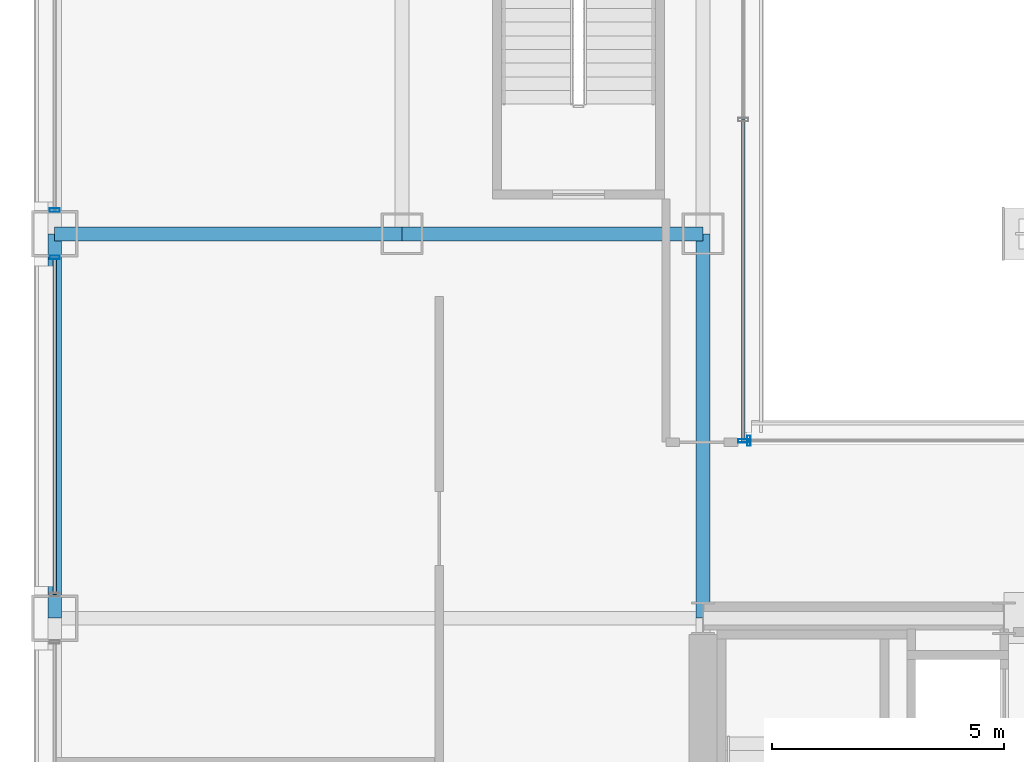
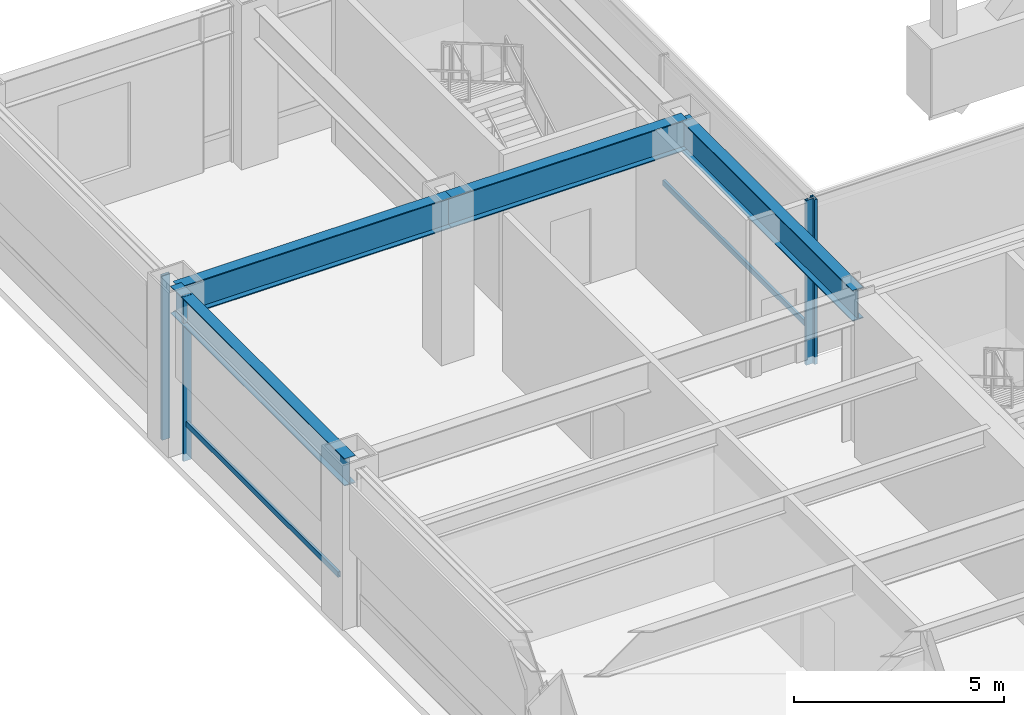
# One storey, part 16 of 42: 6 members, 4 beams, 4 elements without a shape of their own.
"""IFC4 building model written with IfcOpenShell, lengths in metres."""

from ifc_helpers import new_model, si_unit, direction, frame, origin, origin_2d, place, context, subcontext, project, spatial, hollow_rectangle, i_section, extrude, material, layer, layer_set, material_profile, profile_set, type_object, element, aggregate, save


model = new_model("IFC4")

# Units and contexts
model_context = context("Model", 3, precision=1e-05, world=origin(), true_north=direction((0.0, 1.0)))
body_context = subcontext(model_context, "Body", "Model", "MODEL_VIEW")
ifc_project = project(units=[si_unit("LENGTHUNIT", "METRE"), si_unit("AREAUNIT", "SQUARE_METRE"), si_unit("VOLUMEUNIT", "CUBIC_METRE"), si_unit("PLANEANGLEUNIT", "RADIAN"), si_unit("MASSUNIT", "GRAM", prefix="KILO")], contexts=[model_context])

# Site, building, storey
site_placement = place(None, origin())
site = spatial("IfcSite", under=ifc_project, at=site_placement, CompositionType="ELEMENT")
building_placement = place(site_placement, origin())
building = spatial("IfcBuilding", under=site, at=building_placement, Name="Brelmoor Portico Tower", CompositionType="ELEMENT")
storey_placement = place(building_placement, frame((0.0, 0.0, 9.60009765625)))
storey = spatial("IfcBuildingStorey", under=building, at=storey_placement, Name="L02", CompositionType="ELEMENT", Elevation=9.60009765625)

# Beams
ifc_material_1 = material(Name="Steel Q355B", Category="steel")
ifc_material_profile_1 = material_profile(ifc_material_1, i_section(OverallWidth=0.300048828125, OverallDepth=0.89990234375, WebThickness=0.01611328125, FlangeThickness=0.028076171875, at=origin_2d()), Name="HN 900x300x16x28")
ifc_profile_set_1 = profile_set([ifc_material_profile_1], Name="Steel Q355B")
beam_type_1 = type_object("IfcBeamType", Name="BM-PG-900", PredefinedType="BEAM", material=ifc_profile_set_1)
beam_1_placement = place(storey_placement, frame((-14.550048828125, 9.75, 4.1298828125), z_axis=(0.0, 1.0, 0.0), x_axis=(-1.0, 0.0, 0.0)))
element("IfcBeam", 1, at=beam_1_placement, inside=storey, type_object=beam_type_1, Name="L02 Primary Floor Girder PG-08", PredefinedType="BEAM", context=body_context, shape_type="SweptSolid", body=[
    extrude(i_section(OverallWidth=0.300048828125, OverallDepth=0.89990234375, WebThickness=0.01611328125, FlangeThickness=0.028076171875, at=origin_2d()), origin(), (0.0, 0.0, 1.0), 8.300048828125),
])
beam_2_placement = place(storey_placement, frame((-28.550048828125, 18.050048828125, 4.1298828125), z_axis=(1.0, 0.0, 0.0), x_axis=(0.0, 1.0, 0.0)))
element("IfcBeam", 2, at=beam_2_placement, inside=storey, type_object=beam_type_1, Name="L02 Primary Floor Girder PG-40", PredefinedType="BEAM", context=body_context, shape_type="SweptSolid", body=[
    extrude(i_section(OverallWidth=0.300048828125, OverallDepth=0.89990234375, WebThickness=0.01611328125, FlangeThickness=0.028076171875, at=origin_2d()), origin(), (0.0, 0.0, 1.0), 7.5),
])
beam_3_placement = place(storey_placement, frame((-21.050048828125, 18.050048828125, 4.1298828125), z_axis=(1.0, 0.0, 0.0), x_axis=(0.0, 1.0, 0.0)))
element("IfcBeam", 3, at=beam_3_placement, inside=storey, type_object=beam_type_1, Name="L02 Primary Floor Girder PG-41", PredefinedType="BEAM", context=body_context, shape_type="SweptSolid", body=[
    extrude(i_section(OverallWidth=0.300048828125, OverallDepth=0.89990234375, WebThickness=0.01611328125, FlangeThickness=0.028076171875, at=origin_2d()), origin(), (0.0, 0.0, 1.0), 6.5),
])
ifc_material_profile_2 = material_profile(ifc_material_1, i_section(OverallWidth=0.300048828125, OverallDepth=0.800048828125, WebThickness=0.013916015625, FlangeThickness=0.02587890625, at=origin_2d()), Name="HN 800x300x14x26")
ifc_profile_set_2 = profile_set([ifc_material_profile_2], Name="Steel Q355B")
beam_type_2 = type_object("IfcBeamType", Name="BM-SP-800", PredefinedType="SPANDREL", material=ifc_profile_set_2)
beam_4_placement = place(storey_placement, frame((-28.550048828125, 9.75, 4.179931640625), z_axis=(0.0, 1.0, 0.0), x_axis=(-1.0, 0.0, 0.0)))
element("IfcBeam", 4, at=beam_4_placement, inside=storey, type_object=beam_type_2, Name="L02 Perimeter Spandrel Beam SP-13", PredefinedType="SPANDREL", context=body_context, shape_type="SweptSolid", body=[
    extrude(i_section(OverallWidth=0.300048828125, OverallDepth=0.800048828125, WebThickness=0.013916015625, FlangeThickness=0.02587890625, at=origin_2d()), origin(), (0.0, 0.0, 1.0), 8.300048828125),
])

# Curtain wall, member
ifc_material_2 = material(Name="Anodised Aluminium Alloy 6063-T6", Category="aluminium")
ifc_layer = layer(ifc_material_2, 0.179931640625)
ifc_layer_set = layer_set([ifc_layer], Name="Anodised Aluminium Alloy 6063-T6")
curtain_wall_type = type_object("IfcCurtainWallType", Name="CW-PODIUM-ARCH", PredefinedType="NOTDEFINED", material=ifc_layer_set)
curtain_wall_1_placement = place(storey_placement, origin())
curtain_wall_1 = element("IfcCurtainWall", 5, at=curtain_wall_1_placement, inside=storey, type_object=curtain_wall_type, Name="L02 Curtain Wall CW-L02-05-5", PredefinedType="NOTDEFINED")
ifc_material_profile_3 = material_profile(ifc_material_2, hollow_rectangle(XDim=0.074951171875, YDim=0.219970703125, WallThickness=0.0048828125, at=origin_2d()), Name="ALU MULLION 75x220")
ifc_profile_set_3 = profile_set([ifc_material_profile_3], Name="Anodised Aluminium Alloy 6063-T6")
member_type_1 = type_object("IfcMemberType", Name="MB-CW-MULL-220", PredefinedType="MULLION", material=ifc_profile_set_3)
member_1_placement = place(storey_placement, frame((-28.550048828125, 17.5400390625, -0.22021484375), z_axis=(0.0, 0.0, 1.0), x_axis=(0.0, 1.0, 0.0)))
member_1 = element("IfcMember", 6, at=member_1_placement, type_object=member_type_1, Name="CW-L02-05-5 Mullion 01", PredefinedType="MULLION", context=body_context, shape_type="SweptSolid", body=[
    extrude(hollow_rectangle(XDim=0.074951171875, YDim=0.219970703125, WallThickness=0.0048828125, at=origin_2d()), origin(), (0.0, 0.0, 1.0), 4.800048828125),
])

curtain_wall_2_placement = place(storey_placement, origin())
curtain_wall_2 = element("IfcCurtainWall", 7, at=curtain_wall_2_placement, inside=storey, type_object=curtain_wall_type, Name="L02 Curtain Wall CW-L02-05-6", PredefinedType="NOTDEFINED")
member_2_placement = place(storey_placement, frame((-28.550048828125, 18.56005859375, -0.22021484375), z_axis=(0.0, 0.0, 1.0), x_axis=(0.0, 1.0, 0.0)))
member_2 = element("IfcMember", 8, at=member_2_placement, type_object=member_type_1, Name="CW-L02-05-6 Mullion 00", PredefinedType="MULLION", context=body_context, shape_type="SweptSolid", body=[
    extrude(hollow_rectangle(XDim=0.074951171875, YDim=0.219970703125, WallThickness=0.0048828125, at=origin_2d()), origin(), (0.0, 0.0, 1.0), 4.800048828125),
])
aggregate(curtain_wall_2, [member_2])

curtain_wall_3_placement = place(storey_placement, origin())
curtain_wall_3 = element("IfcCurtainWall", 9, at=curtain_wall_3_placement, inside=storey, type_object=curtain_wall_type, Name="L02 Curtain Wall CW-L02-09", PredefinedType="NOTDEFINED")
member_3_placement = place(storey_placement, frame((-13.679931640625, 13.580078125, -0.22021484375), z_axis=(0.0, 0.0, 1.0), x_axis=(0.0, 1.0, 0.0)))
member_3 = element("IfcMember", 10, at=member_3_placement, type_object=member_type_1, Name="CW-L02-09 Mullion 00", PredefinedType="MULLION", context=body_context, shape_type="SweptSolid", body=[
    extrude(hollow_rectangle(XDim=0.074951171875, YDim=0.219970703125, WallThickness=0.0048828125, at=origin_2d()), origin(), (0.0, 0.0, 1.0), 4.800048828125),
])

curtain_wall_4_placement = place(storey_placement, origin())
curtain_wall_4 = element("IfcCurtainWall", 11, at=curtain_wall_4_placement, inside=storey, type_object=curtain_wall_type, Name="L02 Curtain Wall CW-L02-13", PredefinedType="NOTDEFINED")
member_4_placement = place(storey_placement, frame((-13.56005859375, 13.580078125, -0.22021484375), z_axis=(0.0, 0.0, 1.0), x_axis=(1.0, 0.0, 0.0)))
member_4 = element("IfcMember", 12, at=member_4_placement, type_object=member_type_1, Name="CW-L02-13 Mullion 00", PredefinedType="MULLION", context=body_context, shape_type="SweptSolid", body=[
    extrude(hollow_rectangle(XDim=0.074951171875, YDim=0.219970703125, WallThickness=0.0048828125, at=origin_2d()), origin(), (0.0, 0.0, 1.0), 4.800048828125),
])
aggregate(curtain_wall_4, [member_4])

# Member
ifc_material_profile_4 = material_profile(ifc_material_2, hollow_rectangle(XDim=0.070068359375, YDim=0.159912109375, WallThickness=0.00390625, at=origin_2d()), Name="ALU TRANSOM 70x160")
ifc_profile_set_4 = profile_set([ifc_material_profile_4], Name="Anodised Aluminium Alloy 6063-T6")
member_type_2 = type_object("IfcMemberType", Name="MB-CW-TRAN-160", PredefinedType="USERDEFINED", material=ifc_profile_set_4)
member_5_placement = place(storey_placement, frame((-28.550048828125, 10.260009765625, 0.849853515625), z_axis=(0.0, 1.0, 0.0), x_axis=(-1.0, 0.0, 0.0)))
member_5 = element("IfcMember", 13, at=member_5_placement, type_object=member_type_2, Name="CW-L02-05-5 Transom 1-00", ObjectType="TRANSOM", PredefinedType="USERDEFINED", context=body_context, shape_type="SweptSolid", body=[
    extrude(hollow_rectangle(XDim=0.070068359375, YDim=0.159912109375, WallThickness=0.00390625, at=origin_2d()), origin(), (0.0, 0.0, 1.0), 7.280029296875),
])

aggregate(curtain_wall_1, [member_1, member_5])

member_6_placement = place(storey_placement, frame((-13.679931640625, 13.580078125, 0.849853515625), z_axis=(0.0, 1.0, 0.0), x_axis=(-1.0, 0.0, 0.0)))
member_6 = element("IfcMember", 14, at=member_6_placement, type_object=member_type_2, Name="CW-L02-09 Transom 1-00", ObjectType="TRANSOM", PredefinedType="USERDEFINED", context=body_context, shape_type="SweptSolid", body=[
    extrude(hollow_rectangle(XDim=0.070068359375, YDim=0.159912109375, WallThickness=0.00390625, at=origin_2d()), origin(), (0.0, 0.0, 1.0), 6.934814453125),
])

aggregate(curtain_wall_3, [member_3, member_6])

save(model, "model.ifc")
